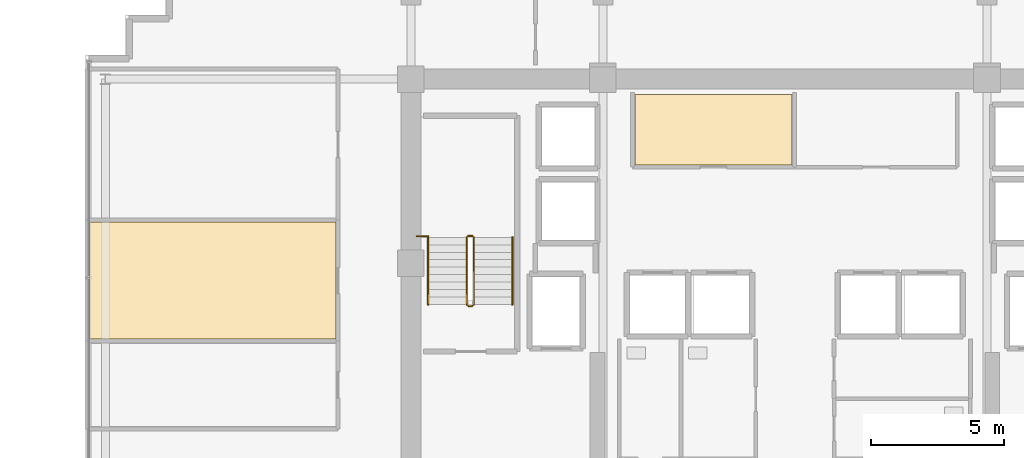
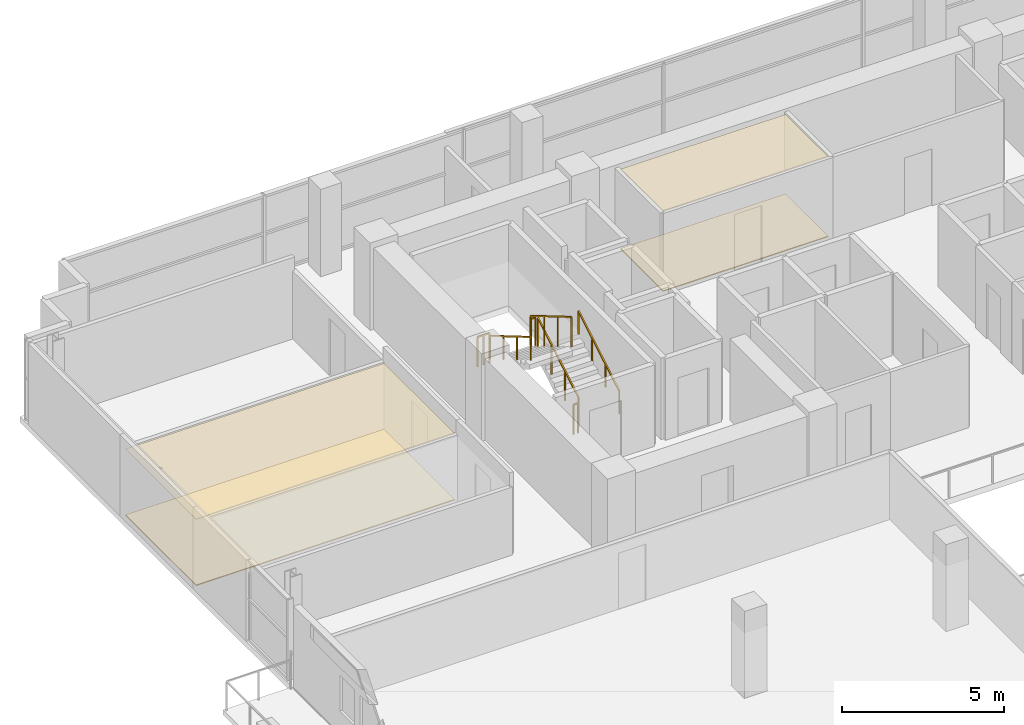
# One storey, part 19 of 21: 7 railings, 4 coverings.
"""IFC4 building model written with IfcOpenShell, lengths in metres."""

from ifc_helpers import new_model, si_unit, direction, frame, origin, origin_2d, place, context, subcontext, project, spatial, polyline, rectangle, outline, extrude, material, layer, layer_set, type_object, element, save


model = new_model("IFC4")

# Units and contexts
model_context = context("Model", 3, precision=1e-05, world=origin(), true_north=direction((0.0, 1.0)))
body_context = subcontext(model_context, "Body", "Model", "MODEL_VIEW")
ifc_project = project(units=[si_unit("LENGTHUNIT", "METRE"), si_unit("AREAUNIT", "SQUARE_METRE"), si_unit("VOLUMEUNIT", "CUBIC_METRE"), si_unit("PLANEANGLEUNIT", "RADIAN"), si_unit("MASSUNIT", "GRAM", prefix="KILO")], contexts=[model_context])

# Site, building, storey
site_placement = place(None, origin())
site = spatial("IfcSite", under=ifc_project, at=site_placement, CompositionType="ELEMENT")
building_placement = place(site_placement, origin())
building = spatial("IfcBuilding", under=site, at=building_placement, Name="Zarnakvel Exchange Tower", CompositionType="ELEMENT")
storey_placement = place(building_placement, frame((0.0, 0.0, 159.39990234375)))
storey = spatial("IfcBuildingStorey", under=building, at=storey_placement, Name="L44", CompositionType="ELEMENT", Elevation=159.39990234375)

# Coverings
ifc_material_1 = material(Name="Perforated Bronze Acoustic Metal Ceiling", Category="aluminium")
ifc_layer_1 = layer(ifc_material_1, 0.02001953125)
ifc_layer_set_1 = layer_set([ifc_layer_1], Name="Perforated Bronze Acoustic Metal Ceiling")
covering_type_1 = type_object("IfcCoveringType", Name="CLG-01", PredefinedType="CEILING", material=ifc_layer_set_1)
covering_1_placement = place(storey_placement, frame((0.0, 0.0, 3.01513671875)))
element("IfcCovering", 1, at=covering_1_placement, inside=storey, type_object=covering_type_1, Name="L44 Suspended Acoustic Ceiling (Settlement Records Suite)", PredefinedType="CEILING", context=body_context, shape_type="SweptSolid", body=[
    extrude(outline(polyline([(-6.0, 12.919921875), (-0.10009765625, 12.919921875), (-0.10009765625, 10.280029296875), (-6.0, 10.280029296875), (-6.0, 12.919921875)])), origin(), (0.0, 0.0, 1.0), 0.02001953125),
])
covering_2_placement = place(storey_placement, frame((0.0, 0.0, 2.505126953125)))
element("IfcCovering", 2, at=covering_2_placement, inside=storey, type_object=covering_type_1, Name="L44 Suspended Acoustic Ceiling (Settlement Office)", PredefinedType="CEILING", context=body_context, shape_type="SweptSolid", body=[
    extrude(outline(polyline([(-26.449951171875, 8.13623046875), (-17.2099609375, 8.13623046875), (-17.2099609375, 3.75830078125), (-26.449951171875, 3.75830078125), (-26.449951171875, 8.13623046875)])), origin(), (0.0, 0.0, 1.0), 0.02001953125),
])
ifc_material_2 = material(Name="Heavy-Duty Raised Access Floor Panel", Category="steel")
ifc_layer_2 = layer(ifc_material_2, 0.034912109375)
ifc_layer_set_2 = layer_set([ifc_layer_2], Name="Heavy-Duty Raised Access Floor Panel")
covering_type_2 = type_object("IfcCoveringType", Name="FLR-02", PredefinedType="FLOORING", material=ifc_layer_set_2)
covering_3_placement = place(storey_placement, origin())
element("IfcCovering", 3, at=covering_3_placement, inside=storey, type_object=covering_type_2, Name="L44 Floor Finish (Settlement Records Suite)", PredefinedType="FLOORING", context=body_context, shape_type="SweptSolid", body=[
    extrude(outline(polyline([(-6.0, 12.919921875), (-0.10009765625, 12.919921875), (-0.10009765625, 10.280029296875), (-6.0, 10.280029296875), (-6.0, 12.919921875)])), origin(), (0.0, 0.0, 1.0), 0.03515625),
])
covering_4_placement = place(storey_placement, origin())
element("IfcCovering", 4, at=covering_4_placement, inside=storey, type_object=covering_type_2, Name="L44 Floor Finish (Settlement Office)", PredefinedType="FLOORING", context=body_context, shape_type="SweptSolid", body=[
    extrude(outline(polyline([(-26.449951171875, 8.13623046875), (-17.2099609375, 8.13623046875), (-17.2099609375, 3.75830078125), (-26.449951171875, 3.75830078125), (-26.449951171875, 8.13623046875)])), origin(), (0.0, 0.0, 1.0), 0.03515625),
])

# Railings
ifc_material_3 = material(Name="Brushed Stainless Steel", Category="steel")
railing_type_1 = type_object("IfcRailingType", Name="HR-01", PredefinedType="HANDRAIL", material=ifc_material_3)
railing_1_placement = place(storey_placement, frame((-10.590087890625, 5.050048828125, 0.1650390625)))
element("IfcRailing", 5, at=railing_1_placement, inside=storey, type_object=railing_type_1, Name="L44 ST-01 stair handrail 1", PredefinedType="HANDRAIL", context=body_context, shape_type="SweptSolid", body=[
    extrude(rectangle(XDim=0.048095703125, YDim=0.048095703125, at=origin_2d()), frame((0.0, 0.0, 0.8759765625), z_axis=(0.0, 0.86152411907, 0.507716645641), x_axis=(-1.0, 0.0, 0.0)), (0.0, 0.0, 1.0), 2.925048828125),
    extrude(rectangle(XDim=0.0419921875, YDim=0.0419921875, at=origin_2d()), origin(), (0.0, 0.0, 1.0), 0.851806640625),
    extrude(rectangle(XDim=0.0419921875, YDim=0.0419921875, at=origin_2d()), frame((0.0, 0.840087890625, 0.4951171875)), (0.0, 0.0, 1.0), 0.851806640625),
    extrude(rectangle(XDim=0.0419921875, YDim=0.0419921875, at=origin_2d()), frame((0.0, 1.679931640625, 0.989990234375)), (0.0, 0.0, 1.0), 0.851806640625),
    extrude(rectangle(XDim=0.0419921875, YDim=0.0419921875, at=origin_2d()), frame((0.0, 2.52001953125, 1.485107421875)), (0.0, 0.0, 1.0), 0.851806640625),
])
railing_2_placement = place(storey_placement, frame((-13.75, 7.570068359375, 1.815185546875)))
element("IfcRailing", 6, at=railing_2_placement, inside=storey, type_object=railing_type_1, Name="L44 ST-01 stair handrail 2", PredefinedType="HANDRAIL", context=body_context, shape_type="SweptSolid", body=[
    extrude(rectangle(XDim=0.048095703125, YDim=0.048095703125, at=origin_2d()), frame((0.0, 0.0, 0.8759765625), z_axis=(0.0, -0.861560626758, 0.507654692109), x_axis=(1.0, 0.0, 0.0)), (0.0, 0.0, 1.0), 2.925048828125),
    extrude(rectangle(XDim=0.0419921875, YDim=0.0419921875, at=origin_2d()), origin(), (0.0, 0.0, 1.0), 0.851806640625),
    extrude(rectangle(XDim=0.0419921875, YDim=0.0419921875, at=origin_2d()), frame((0.0, -0.840087890625, 0.494873046875)), (0.0, 0.0, 1.0), 0.851806640625),
    extrude(rectangle(XDim=0.0419921875, YDim=0.0419921875, at=origin_2d()), frame((0.0, -1.679931640625, 0.989990234375)), (0.0, 0.0, 1.0), 0.851806640625),
    extrude(rectangle(XDim=0.0419921875, YDim=0.0419921875, at=origin_2d()), frame((0.0, -2.52001953125, 1.48486328125)), (0.0, 0.0, 1.0), 0.851806640625),
])
ifc_material_4 = material(Name="Architectural Bronze Anodised Aluminium", Category="aluminium")
railing_type_2 = type_object("IfcRailingType", Name="SG-01", PredefinedType="GUARDRAIL", material=ifc_material_4)
railing_3_placement = place(storey_placement, frame((-12.0400390625, 5.050048828125, 0.1650390625)))
element("IfcRailing", 7, at=railing_3_placement, inside=storey, type_object=railing_type_2, Name="L44 ST-01 stair guard 1", PredefinedType="GUARDRAIL", context=body_context, shape_type="SweptSolid", body=[
    extrude(rectangle(XDim=0.048095703125, YDim=0.048095703125, at=origin_2d()), frame((0.0, 0.0, 1.1259765625), z_axis=(0.0, 0.86152411907, 0.507716645641), x_axis=(-1.0, 0.0, 0.0)), (0.0, 0.0, 1.0), 2.925048828125),
    extrude(rectangle(XDim=0.0419921875, YDim=0.0419921875, at=origin_2d()), origin(), (0.0, 0.0, 1.0), 1.101806640625),
    extrude(rectangle(XDim=0.0419921875, YDim=0.0419921875, at=origin_2d()), frame((0.0, 0.840087890625, 0.4951171875)), (0.0, 0.0, 1.0), 1.101806640625),
    extrude(rectangle(XDim=0.0419921875, YDim=0.0419921875, at=origin_2d()), frame((0.0, 1.679931640625, 0.989990234375)), (0.0, 0.0, 1.0), 1.101806640625),
    extrude(rectangle(XDim=0.0419921875, YDim=0.0419921875, at=origin_2d()), frame((0.0, 2.52001953125, 1.485107421875)), (0.0, 0.0, 1.0), 1.101806640625),
])
railing_4_placement = place(storey_placement, frame((-12.090087890625, 7.6201171875, 1.650146484375)))
element("IfcRailing", 8, at=railing_4_placement, inside=storey, type_object=railing_type_2, Name="L44 ST-01 stair guard 2", PredefinedType="GUARDRAIL", context=body_context, shape_type="SweptSolid", body=[
    extrude(rectangle(XDim=0.048095703125, YDim=0.048095703125, at=origin_2d()), frame((0.0, 0.0, 1.1259765625), z_axis=(-1.0, 0.0, 0.0), x_axis=(0.0, -1.0, 0.0)), (0.0, 0.0, 1.0), 0.159912109375),
    extrude(rectangle(XDim=0.0419921875, YDim=0.0419921875, at=origin_2d()), origin(), (0.0, 0.0, 1.0), 1.101806640625),
    extrude(rectangle(XDim=0.0419921875, YDim=0.0419921875, at=origin_2d()), frame((-0.159912109375, 0.0, 0.0)), (0.0, 0.0, 1.0), 1.101806640625),
])
railing_5_placement = place(storey_placement, frame((-12.300048828125, 7.570068359375, 1.815185546875)))
element("IfcRailing", 9, at=railing_5_placement, inside=storey, type_object=railing_type_2, Name="L44 ST-01 stair guard 3", PredefinedType="GUARDRAIL", context=body_context, shape_type="SweptSolid", body=[
    extrude(rectangle(XDim=0.048095703125, YDim=0.048095703125, at=origin_2d()), frame((0.0, 0.0, 1.1259765625), z_axis=(0.0, -0.861560626758, 0.507654692109), x_axis=(1.0, 0.0, 0.0)), (0.0, 0.0, 1.0), 2.925048828125),
    extrude(rectangle(XDim=0.0419921875, YDim=0.0419921875, at=origin_2d()), origin(), (0.0, 0.0, 1.0), 1.101806640625),
    extrude(rectangle(XDim=0.0419921875, YDim=0.0419921875, at=origin_2d()), frame((0.0, -0.840087890625, 0.494873046875)), (0.0, 0.0, 1.0), 1.101806640625),
    extrude(rectangle(XDim=0.0419921875, YDim=0.0419921875, at=origin_2d()), frame((0.0, -1.679931640625, 0.989990234375)), (0.0, 0.0, 1.0), 1.101806640625),
    extrude(rectangle(XDim=0.0419921875, YDim=0.0419921875, at=origin_2d()), frame((0.0, -2.52001953125, 1.48486328125)), (0.0, 0.0, 1.0), 1.101806640625),
])
railing_6_placement = place(storey_placement, frame((-12.090087890625, 5.0, 0.0)))
element("IfcRailing", 10, at=railing_6_placement, inside=storey, type_object=railing_type_2, Name="L44 ST-01 stair guard 4", PredefinedType="GUARDRAIL", context=body_context, shape_type="SweptSolid", body=[
    extrude(rectangle(XDim=0.048095703125, YDim=0.048095703125, at=origin_2d()), frame((0.0, 0.0, 1.1259765625), z_axis=(-1.0, 0.0, 0.0), x_axis=(0.0, -1.0, 0.0)), (0.0, 0.0, 1.0), 0.159912109375),
    extrude(rectangle(XDim=0.0419921875, YDim=0.0419921875, at=origin_2d()), origin(), (0.0, 0.0, 1.0), 1.101806640625),
    extrude(rectangle(XDim=0.0419921875, YDim=0.0419921875, at=origin_2d()), frame((-0.159912109375, 0.0, 0.0)), (0.0, 0.0, 1.0), 1.101806640625),
])
railing_7_placement = place(storey_placement, frame((-14.179931640625, 7.610107421875, 1.650146484375)))
element("IfcRailing", 11, at=railing_7_placement, inside=storey, type_object=railing_type_2, Name="L44 ST-01 Landing Slot Guardrail", PredefinedType="GUARDRAIL", context=body_context, shape_type="SweptSolid", body=[
    extrude(rectangle(XDim=0.048095703125, YDim=0.048095703125, at=origin_2d()), frame((0.0, 0.0, 1.1259765625), z_axis=(1.0, 0.0, 0.0), x_axis=(0.0, 1.0, 0.0)), (0.0, 0.0, 1.0), 0.429931640625),
    extrude(rectangle(XDim=0.0419921875, YDim=0.0419921875, at=origin_2d()), origin(), (0.0, 0.0, 1.0), 1.101806640625),
    extrude(rectangle(XDim=0.0419921875, YDim=0.0419921875, at=origin_2d()), frame((0.21484375, 0.0, 0.0)), (0.0, 0.0, 1.0), 1.101806640625),
    extrude(rectangle(XDim=0.0419921875, YDim=0.0419921875, at=origin_2d()), frame((0.429931640625, 0.0, 0.0)), (0.0, 0.0, 1.0), 1.101806640625),
])

save(model, "model.ifc")
